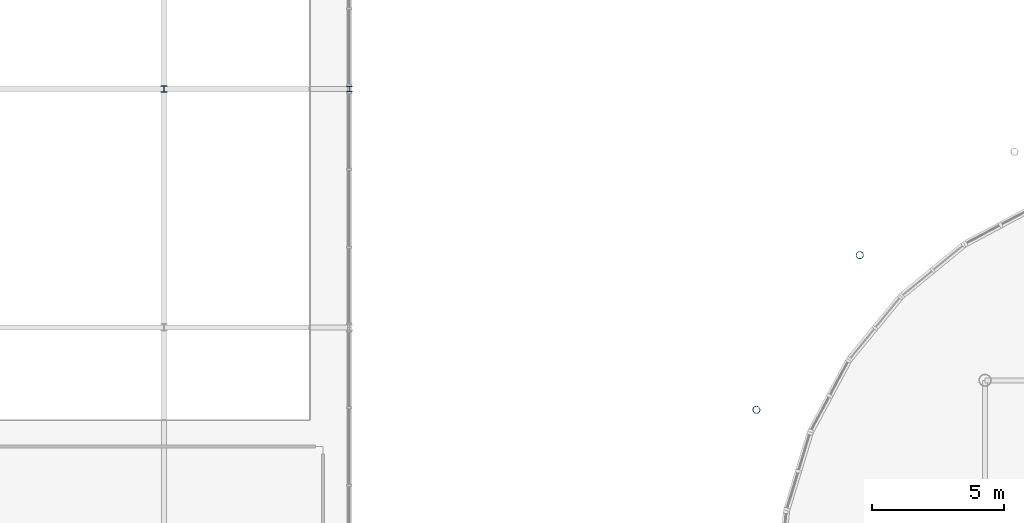
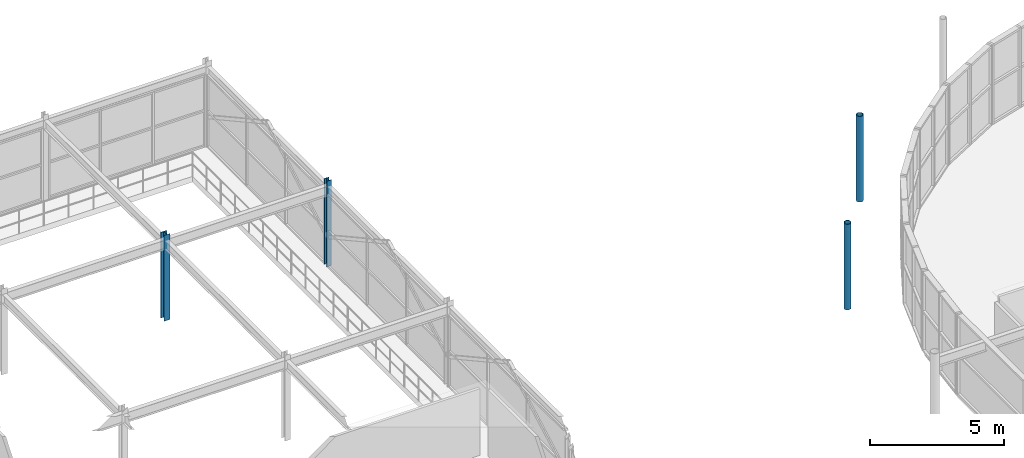
# One storey, part 6 of 98: 4 columns.
"""IFC4 building model written with IfcOpenShell, lengths in metres."""

from ifc_helpers import new_model, si_unit, derived_unit, direction, frame, origin, origin_2d_with_axis, place, context, subcontext, project, spatial, hollow_circle, i_section, extrude, material, material_profile, profile_set, type_object, element, save


model = new_model("IFC4")

# Units and contexts
model_context = context("Model", 3, precision=1e-05, world=origin(), true_north=direction((0.0, 1.0)))
body_context = subcontext(model_context, "Body", "Model", "MODEL_VIEW")
ifc_project = project(units=[si_unit("LENGTHUNIT", "METRE"), si_unit("AREAUNIT", "SQUARE_METRE"), si_unit("VOLUMEUNIT", "CUBIC_METRE"), si_unit("PLANEANGLEUNIT", "RADIAN"), si_unit("MASSUNIT", "GRAM", prefix="KILO"), derived_unit("THERMALTRANSMITTANCEUNIT", [(si_unit("POWERUNIT", "WATT"), 1), (si_unit("LENGTHUNIT", "METRE"), -2), (si_unit("THERMODYNAMICTEMPERATUREUNIT", "KELVIN"), -1)])], contexts=[model_context])

# Site, building, storey
site_placement = place(None, origin())
site = spatial("IfcSite", under=ifc_project, at=site_placement, CompositionType="ELEMENT")
building_placement = place(site_placement, origin())
building = spatial("IfcBuilding", under=site, at=building_placement, Name="Cinnabar Yard Market Hall", CompositionType="ELEMENT")
storey_placement = place(building_placement, frame((0.0, 0.0, 4.5)))
storey = spatial("IfcBuildingStorey", under=building, at=storey_placement, Name="L01", CompositionType="ELEMENT", Elevation=4.5)

# Columns
ifc_material_1 = material(Name="Spotted-gum glulam-clad steel Grade 350 (350 MPa)", Category="steel")
ifc_material_profile_1 = material_profile(ifc_material_1, hollow_circle(Radius=0.136474609375, WallThickness=0.00927734375, at=origin_2d_with_axis()), Name="273.1x9.3CHS")
ifc_profile_set_1 = profile_set([ifc_material_profile_1], Name="Spotted-gum glulam-clad steel Grade 350 (350 MPa)")
column_type_1 = type_object("IfcColumnType", Name="COL-C04E", PredefinedType="COLUMN", material=ifc_profile_set_1)
for number, where, z_axis, x_axis, name in (
    (1, (71.272216796875, 68.727783203125, 0.0), (0.0, 0.0, 1.0), (1.0, 0.0, 0.0), "Tree Column V1C-NW4 L01"),
    (2, (67.3701171875, 62.88818359375, 0.0), (0.0, 0.0, 1.0), (1.0, 0.0, 0.0), "Tree Column V1C-NW6 L01"),
):
    element("IfcColumn", number, at=place(storey_placement, frame(where, z_axis=z_axis, x_axis=x_axis)), inside=storey, type_object=column_type_1, Name=name, PredefinedType="COLUMN", context=body_context, shape_type="SweptSolid", body=[
        extrude(hollow_circle(Radius=0.136474609375, WallThickness=0.00927734375, at=origin_2d_with_axis()), origin(), (0.0, 0.0, 1.0), 3.89990234375),
    ])
ifc_material_2 = material(Name="Steel Grade 300 (300 MPa)", Category="steel")
ifc_material_profile_2 = material_profile(ifc_material_2, i_section(OverallWidth=0.256103515625, OverallDepth=0.260009765625, WebThickness=0.010498046875, FlangeThickness=0.017333984375, FilletRadius=0.013916015625, at=origin_2d_with_axis()), Name="250UC89.5")
ifc_profile_set_2 = profile_set([ifc_material_profile_2], Name="Steel Grade 300 (300 MPa)")
column_type_2 = type_object("IfcColumnType", Name="COL-C10", PredefinedType="COLUMN", material=ifc_profile_set_2)
column_1_placement = place(storey_placement, frame((45.0, 75.0, 0.0), z_axis=(0.0, 0.0, 1.0), x_axis=(1.0, 0.0, 0.0)))
element("IfcColumn", 3, at=column_1_placement, inside=storey, type_object=column_type_2, Name="Pavilion Column V2-06-04 L01", PredefinedType="COLUMN", context=body_context, shape_type="SweptSolid", body=[
    extrude(i_section(OverallWidth=0.256103515625, OverallDepth=0.260009765625, WebThickness=0.010498046875, FlangeThickness=0.017333984375, FilletRadius=0.013916015625, at=origin_2d_with_axis()), origin(), (0.0, 0.0, 1.0), 3.89990234375),
])
ifc_material_profile_3 = material_profile(ifc_material_2, i_section(OverallWidth=0.205078125, OverallDepth=0.209716796875, WebThickness=0.00927734375, FlangeThickness=0.01416015625, FilletRadius=0.011474609375, at=origin_2d_with_axis()), Name="200UC59.5")
ifc_profile_set_3 = profile_set([ifc_material_profile_3], Name="Steel Grade 300 (300 MPa)")
column_type_3 = type_object("IfcColumnType", Name="COL-C12E", PredefinedType="COLUMN", material=ifc_profile_set_3)
column_2_placement = place(storey_placement, frame((52.0, 75.0, 0.0), z_axis=(0.0, 0.0, 1.0), x_axis=(1.0, 0.0, 0.0)))
element("IfcColumn", 4, at=column_2_placement, inside=storey, type_object=column_type_3, Name="Pavilion Column V2-07-04 L01", PredefinedType="COLUMN", context=body_context, shape_type="SweptSolid", body=[
    extrude(i_section(OverallWidth=0.205078125, OverallDepth=0.209716796875, WebThickness=0.00927734375, FlangeThickness=0.01416015625, FilletRadius=0.011474609375, at=origin_2d_with_axis()), origin(), (0.0, 0.0, 1.0), 3.89990234375),
])

save(model, "model.ifc")
